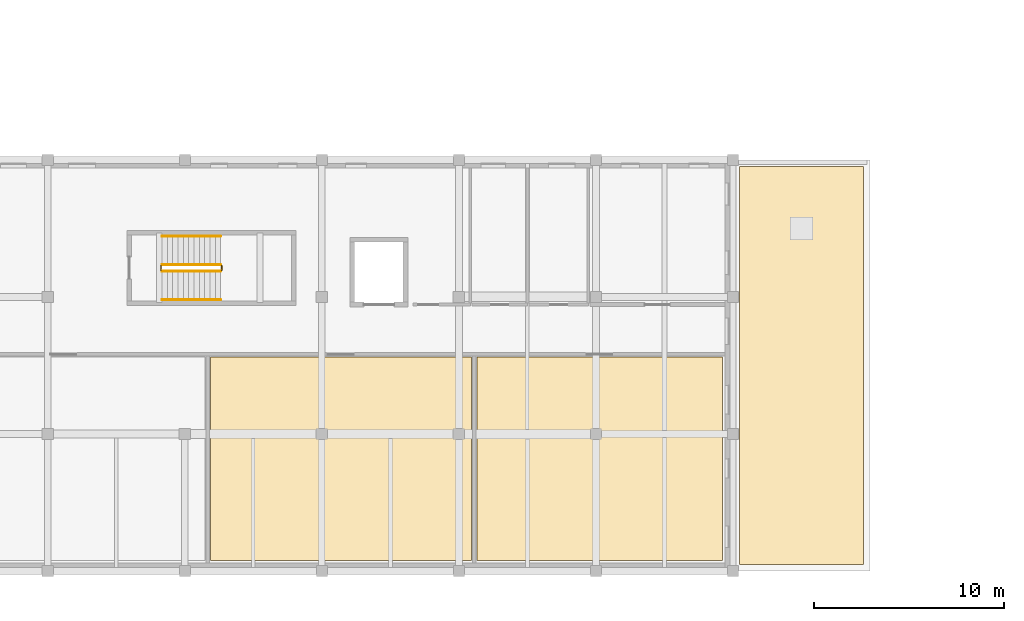
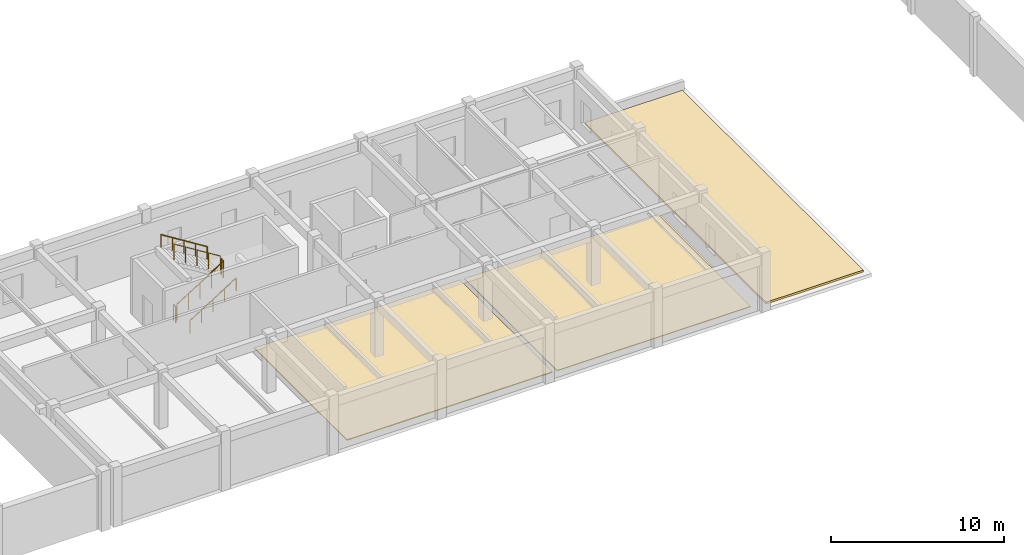
# One storey, part 43 of 49: 6 railings, 3 coverings.
"""IFC4 building model written with IfcOpenShell, lengths in metres."""

from ifc_helpers import new_model, si_unit, direction, frame, origin, origin_2d, place, context, subcontext, project, spatial, polyline, circle, outline, extrude, material, layer, layer_set, type_object, element, save


model = new_model("IFC4")

# Units and contexts
model_context = context("Model", 3, precision=1e-05, world=origin(), true_north=direction((0.0, 1.0)))
body_context = subcontext(model_context, "Body", "Model", "MODEL_VIEW")
ifc_project = project(units=[si_unit("LENGTHUNIT", "METRE"), si_unit("AREAUNIT", "SQUARE_METRE"), si_unit("VOLUMEUNIT", "CUBIC_METRE"), si_unit("PLANEANGLEUNIT", "RADIAN"), si_unit("MASSUNIT", "GRAM", prefix="KILO")], contexts=[model_context])

# Site, building, storey
site_placement = place(None, origin())
site = spatial("IfcSite", under=ifc_project, at=site_placement, CompositionType="ELEMENT")
building_placement = place(site_placement, origin())
building = spatial("IfcBuilding", under=site, at=building_placement, Name="Bramveld Media Centre", CompositionType="ELEMENT")
storey_placement = place(building_placement, frame((0.0, 0.0, 9.60009765625)))
storey = spatial("IfcBuildingStorey", under=building, at=storey_placement, Name="L02", CompositionType="ELEMENT", Elevation=9.60009765625)

# Coverings
ifc_material_1 = material(Name="Floating acoustic screed with smoked European oak studio flooring")
ifc_layer_1 = layer(ifc_material_1, 0.06494140625)
ifc_layer_set_1 = layer_set([ifc_layer_1], Name="Floating acoustic screed with smoked European oak studio flooring")
covering_type_1 = type_object("IfcCoveringType", Name="COV-FLOOR-01", PredefinedType="FLOORING", material=ifc_layer_set_1)
covering_1_placement = place(storey_placement, origin())
element("IfcCovering", 1, at=covering_1_placement, inside=storey, type_object=covering_type_1, Name="FIAF Cool Acetate Film Vault 2 finish flooring", PredefinedType="FLOORING", context=body_context, shape_type="SweptSolid", body=[
    extrude(outline(polyline([(74.14990234375, 0.550048828125), (87.85009765625, 0.550048828125), (87.85009765625, 11.25), (74.14990234375, 11.25), (74.14990234375, 0.550048828125)])), origin(), (0.0, 0.0, 1.0), 0.06494140625),
])
ifc_material_2 = material(Name="Honed Belgian bluestone (petit granit) public concourse flooring", Category="masonry")
ifc_layer_2 = layer(ifc_material_2, 0.050048828125)
ifc_layer_set_2 = layer_set([ifc_layer_2], Name="Honed Belgian bluestone (petit granit) public concourse flooring")
covering_type_2 = type_object("IfcCoveringType", Name="COV-FLOOR-02", PredefinedType="FLOORING", material=ifc_layer_set_2)
covering_2_placement = place(storey_placement, origin())
element("IfcCovering", 2, at=covering_2_placement, inside=storey, type_object=covering_type_2, Name="Magnetic Tape & Broadcast Master Vault finish flooring", PredefinedType="FLOORING", context=body_context, shape_type="SweptSolid", body=[
    extrude(outline(polyline([(88.14990234375, 0.550048828125), (101.050048828125, 0.550048828125), (101.050048828125, 11.25), (88.14990234375, 11.25), (88.14990234375, 0.550048828125)])), origin(), (0.0, 0.0, 1.0), 0.0498046875),
])
ifc_material_3 = material(Name="Vegetated extensive green-roof substrate and EPDM membrane")
ifc_layer_3 = layer(ifc_material_3, 0.139892578125)
ifc_layer_set_3 = layer_set([ifc_layer_3], Name="Vegetated extensive green-roof substrate and EPDM membrane")
covering_type_3 = type_object("IfcCoveringType", Name="COV-ROOF-GREEN", PredefinedType="ROOFING", material=ifc_layer_set_3)
covering_3_placement = place(storey_placement, origin())
element("IfcCovering", 3, at=covering_3_placement, inside=storey, type_object=covering_type_3, Name="V5 L02 vegetated green roof covering", PredefinedType="ROOFING", context=body_context, shape_type="SweptSolid", body=[
    extrude(outline(polyline([(101.949951171875, 0.35009765625), (108.449951171875, 0.35009765625), (108.449951171875, 21.25), (101.949951171875, 21.25), (101.949951171875, 0.35009765625)])), origin(), (0.0, 0.0, 1.0), 0.139892578125),
])

# Railings
ifc_material_4 = material(Name="Painted galvanized steel stairwell guardrail", Category="steel")
railing_type_1 = type_object("IfcRailingType", Name="RAIL-STAIR-GUARD-1150", PredefinedType="GUARDRAIL", material=ifc_material_4)
railing_1_placement = place(storey_placement, frame((71.60009765625, 15.75, 0.1748046875)))
element("IfcRailing", 4, at=railing_1_placement, inside=storey, type_object=railing_type_1, Name="L02 ST-06 stair guard 1", PredefinedType="GUARDRAIL", context=body_context, shape_type="SweptSolid", body=[
    extrude(circle(Radius=0.02392578125, at=origin_2d()), frame((0.0, 0.0, 1.1259765625), z_axis=(0.847979421464, 0.0, 0.530029150871), x_axis=(0.0, 1.0, 0.0)), (0.0, 0.0, 1.0), 3.632080078125),
    extrude(circle(Radius=0.02099609375, at=origin_2d()), origin(), (0.0, 0.0, 1.0), 1.101806640625),
    extrude(circle(Radius=0.02099609375, at=origin_2d()), frame((0.77001953125, 0.0, 0.481201171875)), (0.0, 0.0, 1.0), 1.101806640625),
    extrude(circle(Radius=0.02099609375, at=origin_2d()), frame((1.5400390625, 0.0, 0.96240234375)), (0.0, 0.0, 1.0), 1.101806640625),
    extrude(circle(Radius=0.02099609375, at=origin_2d()), frame((2.309814453125, 0.0, 1.44384765625)), (0.0, 0.0, 1.0), 1.101806640625),
    extrude(circle(Radius=0.02099609375, at=origin_2d()), frame((3.079833984375, 0.0, 1.925048828125)), (0.0, 0.0, 1.0), 1.101806640625),
])
railing_2_placement = place(storey_placement, frame((74.72998046875, 15.800048828125, 2.099853515625)))
element("IfcRailing", 5, at=railing_2_placement, inside=storey, type_object=railing_type_1, Name="L02 ST-06 stair guard 2", PredefinedType="GUARDRAIL", context=body_context, shape_type="SweptSolid", body=[
    extrude(circle(Radius=0.02392578125, at=origin_2d()), frame((0.0, 0.0, 1.1259765625), z_axis=(0.0, 1.0, 0.0), x_axis=(-1.0, 0.0, 0.0)), (0.0, 0.0, 1.0), 0.25),
    extrude(circle(Radius=0.02099609375, at=origin_2d()), origin(), (0.0, 0.0, 1.0), 1.101806640625),
    extrude(circle(Radius=0.02099609375, at=origin_2d()), frame((0.0, 0.25, 0.0)), (0.0, 0.0, 1.0), 1.101806640625),
])
railing_3_placement = place(storey_placement, frame((74.679931640625, 16.10009765625, 2.27490234375)))
element("IfcRailing", 6, at=railing_3_placement, inside=storey, type_object=railing_type_1, Name="L02 ST-06 stair guard 3", PredefinedType="GUARDRAIL", context=body_context, shape_type="SweptSolid", body=[
    extrude(circle(Radius=0.02392578125, at=origin_2d()), frame((0.0, 0.0, 1.1259765625), z_axis=(-0.847979421464, 0.0, 0.530029150871), x_axis=(0.0, -1.0, 0.0)), (0.0, 0.0, 1.0), 3.632080078125),
    extrude(circle(Radius=0.02099609375, at=origin_2d()), origin(), (0.0, 0.0, 1.0), 1.101806640625),
    extrude(circle(Radius=0.02099609375, at=origin_2d()), frame((-0.77001953125, 0.0, 0.481201171875)), (0.0, 0.0, 1.0), 1.101806640625),
    extrude(circle(Radius=0.02099609375, at=origin_2d()), frame((-1.5400390625, 0.0, 0.96240234375)), (0.0, 0.0, 1.0), 1.101806640625),
    extrude(circle(Radius=0.02099609375, at=origin_2d()), frame((-2.309814453125, 0.0, 1.44384765625)), (0.0, 0.0, 1.0), 1.101806640625),
    extrude(circle(Radius=0.02099609375, at=origin_2d()), frame((-3.079833984375, 0.0, 1.925048828125)), (0.0, 0.0, 1.0), 1.101806640625),
])
railing_4_placement = place(storey_placement, frame((71.550048828125, 15.800048828125, 0.0)))
element("IfcRailing", 7, at=railing_4_placement, inside=storey, type_object=railing_type_1, Name="L02 ST-06 stair guard 4", PredefinedType="GUARDRAIL", context=body_context, shape_type="SweptSolid", body=[
    extrude(circle(Radius=0.02392578125, at=origin_2d()), frame((0.0, 0.0, 1.1259765625), z_axis=(0.0, 1.0, 0.0), x_axis=(-1.0, 0.0, 0.0)), (0.0, 0.0, 1.0), 0.25),
    extrude(circle(Radius=0.02099609375, at=origin_2d()), origin(), (0.0, 0.0, 1.0), 1.101806640625),
    extrude(circle(Radius=0.02099609375, at=origin_2d()), frame((0.0, 0.25, 0.0)), (0.0, 0.0, 1.0), 1.101806640625),
])
ifc_material_5 = material(Name="Brushed stainless steel tubular stair handrail", Category="steel")
railing_type_2 = type_object("IfcRailingType", Name="RAIL-STAIR-HAND-0920", PredefinedType="HANDRAIL", material=ifc_material_5)
railing_5_placement = place(storey_placement, frame((71.60009765625, 14.25, 0.1748046875)))
element("IfcRailing", 8, at=railing_5_placement, inside=storey, type_object=railing_type_2, Name="L02 ST-06 stair handrail 1", PredefinedType="HANDRAIL", context=body_context, shape_type="SweptSolid", body=[
    extrude(circle(Radius=0.02392578125, at=origin_2d()), frame((0.0, 0.0, 0.8759765625), z_axis=(0.847979421464, 0.0, 0.530029150871), x_axis=(0.0, 1.0, 0.0)), (0.0, 0.0, 1.0), 3.632080078125),
    extrude(circle(Radius=0.02099609375, at=origin_2d()), origin(), (0.0, 0.0, 1.0), 0.851806640625),
    extrude(circle(Radius=0.02099609375, at=origin_2d()), frame((0.77001953125, 0.0, 0.481201171875)), (0.0, 0.0, 1.0), 0.851806640625),
    extrude(circle(Radius=0.02099609375, at=origin_2d()), frame((1.5400390625, 0.0, 0.96240234375)), (0.0, 0.0, 1.0), 0.851806640625),
    extrude(circle(Radius=0.02099609375, at=origin_2d()), frame((2.309814453125, 0.0, 1.44384765625)), (0.0, 0.0, 1.0), 0.851806640625),
    extrude(circle(Radius=0.02099609375, at=origin_2d()), frame((3.079833984375, 0.0, 1.925048828125)), (0.0, 0.0, 1.0), 0.851806640625),
])
railing_6_placement = place(storey_placement, frame((74.679931640625, 17.60009765625, 2.27490234375)))
element("IfcRailing", 9, at=railing_6_placement, inside=storey, type_object=railing_type_2, Name="L02 ST-06 stair handrail 2", PredefinedType="HANDRAIL", context=body_context, shape_type="SweptSolid", body=[
    extrude(circle(Radius=0.02392578125, at=origin_2d()), frame((0.0, 0.0, 0.8759765625), z_axis=(-0.847979421464, 0.0, 0.530029150871), x_axis=(0.0, -1.0, 0.0)), (0.0, 0.0, 1.0), 3.632080078125),
    extrude(circle(Radius=0.02099609375, at=origin_2d()), origin(), (0.0, 0.0, 1.0), 0.851806640625),
    extrude(circle(Radius=0.02099609375, at=origin_2d()), frame((-0.77001953125, 0.0, 0.481201171875)), (0.0, 0.0, 1.0), 0.851806640625),
    extrude(circle(Radius=0.02099609375, at=origin_2d()), frame((-1.5400390625, 0.0, 0.96240234375)), (0.0, 0.0, 1.0), 0.851806640625),
    extrude(circle(Radius=0.02099609375, at=origin_2d()), frame((-2.309814453125, 0.0, 1.44384765625)), (0.0, 0.0, 1.0), 0.851806640625),
    extrude(circle(Radius=0.02099609375, at=origin_2d()), frame((-3.079833984375, 0.0, 1.925048828125)), (0.0, 0.0, 1.0), 0.851806640625),
])

save(model, "model.ifc")
